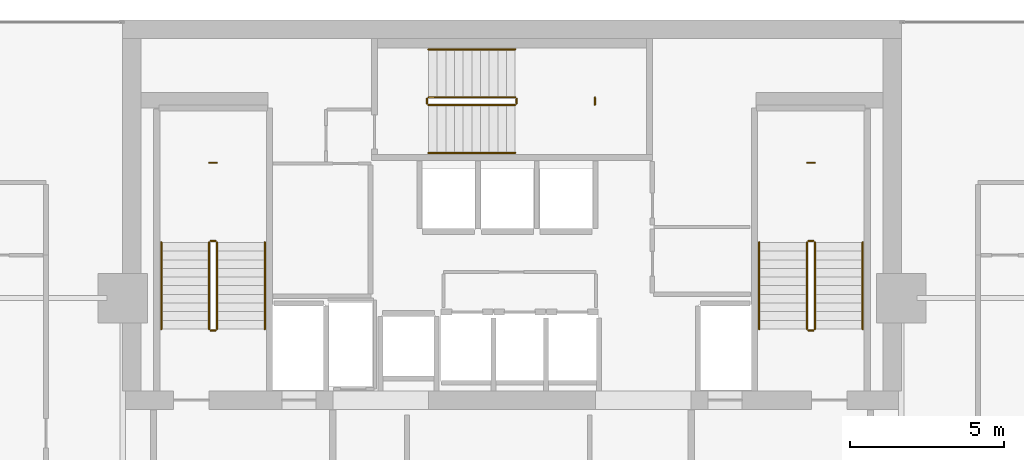
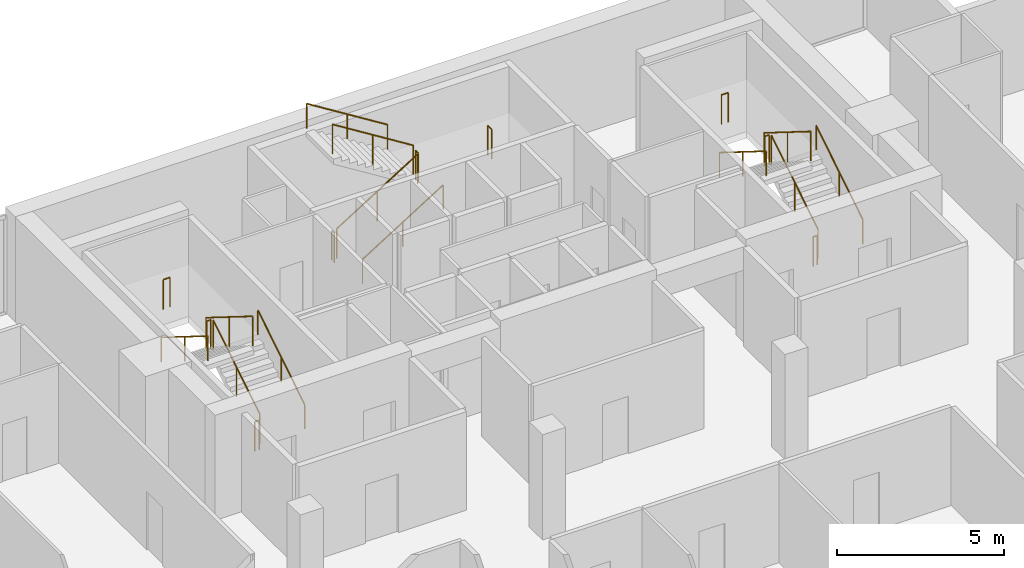
# One storey, part 25 of 25: 21 railings.
"""IFC4 building model written with IfcOpenShell, lengths in metres."""

from ifc_helpers import new_model, si_unit, direction, frame, origin, origin_2d, place, context, subcontext, project, spatial, circle, extrude, material, type_object, element, save


model = new_model("IFC4")

# Units and contexts
model_context = context("Model", 3, precision=1e-05, world=origin(), true_north=direction((0.0, 1.0)))
body_context = subcontext(model_context, "Body", "Model", "MODEL_VIEW")
ifc_project = project(units=[si_unit("LENGTHUNIT", "METRE"), si_unit("AREAUNIT", "SQUARE_METRE"), si_unit("VOLUMEUNIT", "CUBIC_METRE"), si_unit("PLANEANGLEUNIT", "RADIAN"), si_unit("MASSUNIT", "GRAM", prefix="KILO")], contexts=[model_context])

# Site, building, storey
site_placement = place(None, origin())
site = spatial("IfcSite", under=ifc_project, at=site_placement, CompositionType="ELEMENT")
building_placement = place(site_placement, origin())
building = spatial("IfcBuilding", under=site, at=building_placement, Name="Maruvema Waterfront Hotel and Observation Tower", CompositionType="ELEMENT")
storey_placement = place(building_placement, frame((0.0, 0.0, 281.75)))
storey = spatial("IfcBuildingStorey", under=building, at=storey_placement, Name="L69", CompositionType="ELEMENT", Elevation=281.75)

# Railings
ifc_material_1 = material(Name="Brushed stainless steel Grade 316", Category="steel")
railing_type_1 = type_object("IfcRailingType", Name="Ramp Continuous Wall Handrail 920 mm", PredefinedType="HANDRAIL", material=ifc_material_1)
railing_1_placement = place(storey_placement, frame((29.800048828125, 44.0, 0.175048828125)))
element("IfcRailing", 1, at=railing_1_placement, inside=storey, type_object=railing_type_1, Name="L69 ST-01 stair handrail 1", PredefinedType="HANDRAIL", context=body_context, shape_type="SweptSolid", body=[
    extrude(circle(Radius=0.02392578125, at=origin_2d()), frame((0.0, 0.0, 0.89599609375), z_axis=(0.0, 0.848002457836, 0.529992293815), x_axis=(-1.0, 0.0, 0.0)), (0.0, 0.0, 1.0), 3.302001953125),
    extrude(circle(Radius=0.02099609375, at=origin_2d()), origin(), (0.0, 0.0, 1.0), 0.871826171875),
    extrude(circle(Radius=0.02099609375, at=origin_2d()), frame((0.0, 1.39990234375, 0.875)), (0.0, 0.0, 1.0), 0.871826171875),
    extrude(circle(Radius=0.02099609375, at=origin_2d()), frame((0.0, 2.800048828125, 1.75)), (0.0, 0.0, 1.0), 0.871826171875),
])
railing_2_placement = place(storey_placement, frame((26.449951171875, 46.800048828125, 2.10009765625)))
element("IfcRailing", 2, at=railing_2_placement, inside=storey, type_object=railing_type_1, Name="L69 ST-01 stair handrail 2", PredefinedType="HANDRAIL", context=body_context, shape_type="SweptSolid", body=[
    extrude(circle(Radius=0.02392578125, at=origin_2d()), frame((0.0, 0.0, 0.89599609375), z_axis=(0.0, -0.848002457836, 0.529992293815), x_axis=(1.0, 0.0, 0.0)), (0.0, 0.0, 1.0), 3.302001953125),
    extrude(circle(Radius=0.02099609375, at=origin_2d()), origin(), (0.0, 0.0, 1.0), 0.871826171875),
    extrude(circle(Radius=0.02099609375, at=origin_2d()), frame((0.0, -1.39990234375, 0.875)), (0.0, 0.0, 1.0), 0.871826171875),
    extrude(circle(Radius=0.02099609375, at=origin_2d()), frame((0.0, -2.800048828125, 1.75)), (0.0, 0.0, 1.0), 0.871826171875),
])
railing_3_placement = place(storey_placement, frame((35.10009765625, 49.699951171875, 0.175048828125)))
element("IfcRailing", 3, at=railing_3_placement, inside=storey, type_object=railing_type_1, Name="L69 ST-02 stair handrail 1", PredefinedType="HANDRAIL", context=body_context, shape_type="SweptSolid", body=[
    extrude(circle(Radius=0.02392578125, at=origin_2d()), frame((0.0, 0.0, 0.89599609375), z_axis=(0.847981687118, 0.0, 0.530025526095), x_axis=(0.0, 1.0, 0.0)), (0.0, 0.0, 1.0), 3.3017578125),
    extrude(circle(Radius=0.02099609375, at=origin_2d()), origin(), (0.0, 0.0, 1.0), 0.871826171875),
    extrude(circle(Radius=0.02099609375, at=origin_2d()), frame((1.39990234375, 0.0, 0.875)), (0.0, 0.0, 1.0), 0.871826171875),
    extrude(circle(Radius=0.02099609375, at=origin_2d()), frame((2.7998046875, 0.0, 1.75)), (0.0, 0.0, 1.0), 0.871826171875),
])
railing_4_placement = place(storey_placement, frame((37.89990234375, 53.050048828125, 2.10009765625)))
element("IfcRailing", 4, at=railing_4_placement, inside=storey, type_object=railing_type_1, Name="L69 ST-02 stair handrail 2", PredefinedType="HANDRAIL", context=body_context, shape_type="SweptSolid", body=[
    extrude(circle(Radius=0.02392578125, at=origin_2d()), frame((0.0, 0.0, 0.89599609375), z_axis=(-0.847981687118, 0.0, 0.530025526095), x_axis=(0.0, -1.0, 0.0)), (0.0, 0.0, 1.0), 3.3017578125),
    extrude(circle(Radius=0.02099609375, at=origin_2d()), origin(), (0.0, 0.0, 1.0), 0.871826171875),
    extrude(circle(Radius=0.02099609375, at=origin_2d()), frame((-1.39990234375, 0.0, 0.875)), (0.0, 0.0, 1.0), 0.871826171875),
    extrude(circle(Radius=0.02099609375, at=origin_2d()), frame((-2.7998046875, 0.0, 1.75)), (0.0, 0.0, 1.0), 0.871826171875),
])
railing_5_placement = place(storey_placement, frame((49.14990234375, 44.0, 0.175048828125)))
element("IfcRailing", 5, at=railing_5_placement, inside=storey, type_object=railing_type_1, Name="L69 ST-03 stair handrail 1", PredefinedType="HANDRAIL", context=body_context, shape_type="SweptSolid", body=[
    extrude(circle(Radius=0.02392578125, at=origin_2d()), frame((0.0, 0.0, 0.89599609375), z_axis=(0.0, 0.848002457836, 0.529992293815), x_axis=(-1.0, 0.0, 0.0)), (0.0, 0.0, 1.0), 3.302001953125),
    extrude(circle(Radius=0.02099609375, at=origin_2d()), origin(), (0.0, 0.0, 1.0), 0.871826171875),
    extrude(circle(Radius=0.02099609375, at=origin_2d()), frame((0.0, 1.39990234375, 0.875)), (0.0, 0.0, 1.0), 0.871826171875),
    extrude(circle(Radius=0.02099609375, at=origin_2d()), frame((0.0, 2.800048828125, 1.75)), (0.0, 0.0, 1.0), 0.871826171875),
])
railing_6_placement = place(storey_placement, frame((45.800048828125, 46.800048828125, 2.10009765625)))
element("IfcRailing", 6, at=railing_6_placement, inside=storey, type_object=railing_type_1, Name="L69 ST-03 stair handrail 2", PredefinedType="HANDRAIL", context=body_context, shape_type="SweptSolid", body=[
    extrude(circle(Radius=0.02392578125, at=origin_2d()), frame((0.0, 0.0, 0.89599609375), z_axis=(0.0, -0.848002457836, 0.529992293815), x_axis=(1.0, 0.0, 0.0)), (0.0, 0.0, 1.0), 3.302001953125),
    extrude(circle(Radius=0.02099609375, at=origin_2d()), origin(), (0.0, 0.0, 1.0), 0.871826171875),
    extrude(circle(Radius=0.02099609375, at=origin_2d()), frame((0.0, -1.39990234375, 0.875)), (0.0, 0.0, 1.0), 0.871826171875),
    extrude(circle(Radius=0.02099609375, at=origin_2d()), frame((0.0, -2.800048828125, 1.75)), (0.0, 0.0, 1.0), 0.871826171875),
])
ifc_material_2 = material(Name="Brushed stainless steel Grade 316", Category="steel")
railing_type_2 = type_object("IfcRailingType", Name="Ramp and Terrace Guard Balustrade 1100 mm", PredefinedType="BALUSTRADE", material=ifc_material_2)
railing_7_placement = place(storey_placement, frame((28.25, 44.0, 0.175048828125)))
element("IfcRailing", 7, at=railing_7_placement, inside=storey, type_object=railing_type_2, Name="L69 ST-01 stair guard 1", PredefinedType="BALUSTRADE", context=body_context, shape_type="SweptSolid", body=[
    extrude(circle(Radius=0.02392578125, at=origin_2d()), frame((0.0, 0.0, 1.076171875), z_axis=(0.0, 0.848002457836, 0.529992293815), x_axis=(-1.0, 0.0, 0.0)), (0.0, 0.0, 1.0), 3.302001953125),
    extrude(circle(Radius=0.02099609375, at=origin_2d()), origin(), (0.0, 0.0, 1.0), 1.052001953125),
    extrude(circle(Radius=0.02099609375, at=origin_2d()), frame((0.0, 1.39990234375, 0.875)), (0.0, 0.0, 1.0), 1.052001953125),
    extrude(circle(Radius=0.02099609375, at=origin_2d()), frame((0.0, 2.800048828125, 1.75)), (0.0, 0.0, 1.0), 1.052001953125),
])
railing_8_placement = place(storey_placement, frame((28.199951171875, 46.85009765625, 1.925048828125)))
element("IfcRailing", 8, at=railing_8_placement, inside=storey, type_object=railing_type_2, Name="L69 ST-01 stair guard 2", PredefinedType="BALUSTRADE", context=body_context, shape_type="SweptSolid", body=[
    extrude(circle(Radius=0.02392578125, at=origin_2d()), frame((0.0, 0.0, 1.076171875), z_axis=(-1.0, 0.0, 0.0), x_axis=(0.0, -1.0, 0.0)), (0.0, 0.0, 1.0), 0.14990234375),
    extrude(circle(Radius=0.02099609375, at=origin_2d()), origin(), (0.0, 0.0, 1.0), 1.052001953125),
    extrude(circle(Radius=0.02099609375, at=origin_2d()), frame((-0.14990234375, 0.0, 0.0)), (0.0, 0.0, 1.0), 1.052001953125),
])
railing_9_placement = place(storey_placement, frame((28.0, 46.800048828125, 2.10009765625)))
element("IfcRailing", 9, at=railing_9_placement, inside=storey, type_object=railing_type_2, Name="L69 ST-01 stair guard 3", PredefinedType="BALUSTRADE", context=body_context, shape_type="SweptSolid", body=[
    extrude(circle(Radius=0.02392578125, at=origin_2d()), frame((0.0, 0.0, 1.076171875), z_axis=(0.0, -0.848002457836, 0.529992293815), x_axis=(1.0, 0.0, 0.0)), (0.0, 0.0, 1.0), 3.302001953125),
    extrude(circle(Radius=0.02099609375, at=origin_2d()), origin(), (0.0, 0.0, 1.0), 1.052001953125),
    extrude(circle(Radius=0.02099609375, at=origin_2d()), frame((0.0, -1.39990234375, 0.875)), (0.0, 0.0, 1.0), 1.052001953125),
    extrude(circle(Radius=0.02099609375, at=origin_2d()), frame((0.0, -2.800048828125, 1.75)), (0.0, 0.0, 1.0), 1.052001953125),
])
railing_10_placement = place(storey_placement, frame((28.199951171875, 43.949951171875, 0.0)))
element("IfcRailing", 10, at=railing_10_placement, inside=storey, type_object=railing_type_2, Name="L69 ST-01 stair guard 4", PredefinedType="BALUSTRADE", context=body_context, shape_type="SweptSolid", body=[
    extrude(circle(Radius=0.02392578125, at=origin_2d()), frame((0.0, 0.0, 1.076171875), z_axis=(-1.0, 0.0, 0.0), x_axis=(0.0, -1.0, 0.0)), (0.0, 0.0, 1.0), 0.14990234375),
    extrude(circle(Radius=0.02099609375, at=origin_2d()), origin(), (0.0, 0.0, 1.0), 1.052001953125),
    extrude(circle(Radius=0.02099609375, at=origin_2d()), frame((-0.14990234375, 0.0, 0.0)), (0.0, 0.0, 1.0), 1.052001953125),
])
railing_11_placement = place(storey_placement, frame((28.239990234375, 49.3798828125, 1.925048828125)))
element("IfcRailing", 11, at=railing_11_placement, inside=storey, type_object=railing_type_2, Name="L69 ST-01 Half-Landing Slot Guard", PredefinedType="BALUSTRADE", context=body_context, shape_type="SweptSolid", body=[
    extrude(circle(Radius=0.02392578125, at=origin_2d()), frame((0.0, 0.0, 1.076171875), z_axis=(-1.0, 0.0, 0.0), x_axis=(0.0, -1.0, 0.0)), (0.0, 0.0, 1.0), 0.22998046875),
    extrude(circle(Radius=0.02099609375, at=origin_2d()), origin(), (0.0, 0.0, 1.0), 1.052001953125),
    extrude(circle(Radius=0.02099609375, at=origin_2d()), frame((-0.22998046875, 0.0, 0.0)), (0.0, 0.0, 1.0), 1.052001953125),
])
railing_12_placement = place(storey_placement, frame((35.10009765625, 51.25, 0.175048828125)))
element("IfcRailing", 12, at=railing_12_placement, inside=storey, type_object=railing_type_2, Name="L69 ST-02 stair guard 1", PredefinedType="BALUSTRADE", context=body_context, shape_type="SweptSolid", body=[
    extrude(circle(Radius=0.02392578125, at=origin_2d()), frame((0.0, 0.0, 1.076171875), z_axis=(0.847981687118, 0.0, 0.530025526095), x_axis=(0.0, 1.0, 0.0)), (0.0, 0.0, 1.0), 3.3017578125),
    extrude(circle(Radius=0.02099609375, at=origin_2d()), origin(), (0.0, 0.0, 1.0), 1.052001953125),
    extrude(circle(Radius=0.02099609375, at=origin_2d()), frame((1.39990234375, 0.0, 0.875)), (0.0, 0.0, 1.0), 1.052001953125),
    extrude(circle(Radius=0.02099609375, at=origin_2d()), frame((2.7998046875, 0.0, 1.75)), (0.0, 0.0, 1.0), 1.052001953125),
])
railing_13_placement = place(storey_placement, frame((37.949951171875, 51.300048828125, 1.925048828125)))
element("IfcRailing", 13, at=railing_13_placement, inside=storey, type_object=railing_type_2, Name="L69 ST-02 stair guard 2", PredefinedType="BALUSTRADE", context=body_context, shape_type="SweptSolid", body=[
    extrude(circle(Radius=0.02392578125, at=origin_2d()), frame((0.0, 0.0, 1.076171875), z_axis=(0.0, 1.0, 0.0), x_axis=(-1.0, 0.0, 0.0)), (0.0, 0.0, 1.0), 0.14990234375),
    extrude(circle(Radius=0.02099609375, at=origin_2d()), origin(), (0.0, 0.0, 1.0), 1.052001953125),
    extrude(circle(Radius=0.02099609375, at=origin_2d()), frame((0.0, 0.14990234375, 0.0)), (0.0, 0.0, 1.0), 1.052001953125),
])
railing_14_placement = place(storey_placement, frame((37.89990234375, 51.5, 2.10009765625)))
element("IfcRailing", 14, at=railing_14_placement, inside=storey, type_object=railing_type_2, Name="L69 ST-02 stair guard 3", PredefinedType="BALUSTRADE", context=body_context, shape_type="SweptSolid", body=[
    extrude(circle(Radius=0.02392578125, at=origin_2d()), frame((0.0, 0.0, 1.076171875), z_axis=(-0.847981687118, 0.0, 0.530025526095), x_axis=(0.0, -1.0, 0.0)), (0.0, 0.0, 1.0), 3.3017578125),
    extrude(circle(Radius=0.02099609375, at=origin_2d()), origin(), (0.0, 0.0, 1.0), 1.052001953125),
    extrude(circle(Radius=0.02099609375, at=origin_2d()), frame((-1.39990234375, 0.0, 0.875)), (0.0, 0.0, 1.0), 1.052001953125),
    extrude(circle(Radius=0.02099609375, at=origin_2d()), frame((-2.7998046875, 0.0, 1.75)), (0.0, 0.0, 1.0), 1.052001953125),
])
railing_15_placement = place(storey_placement, frame((35.050048828125, 51.300048828125, 0.0)))
element("IfcRailing", 15, at=railing_15_placement, inside=storey, type_object=railing_type_2, Name="L69 ST-02 stair guard 4", PredefinedType="BALUSTRADE", context=body_context, shape_type="SweptSolid", body=[
    extrude(circle(Radius=0.02392578125, at=origin_2d()), frame((0.0, 0.0, 1.076171875), z_axis=(0.0, 1.0, 0.0), x_axis=(-1.0, 0.0, 0.0)), (0.0, 0.0, 1.0), 0.14990234375),
    extrude(circle(Radius=0.02099609375, at=origin_2d()), origin(), (0.0, 0.0, 1.0), 1.052001953125),
    extrude(circle(Radius=0.02099609375, at=origin_2d()), frame((0.0, 0.14990234375, 0.0)), (0.0, 0.0, 1.0), 1.052001953125),
])
railing_16_placement = place(storey_placement, frame((40.47998046875, 51.260009765625, 1.925048828125)))
element("IfcRailing", 16, at=railing_16_placement, inside=storey, type_object=railing_type_2, Name="L69 ST-02 Half-Landing Slot Guard", PredefinedType="BALUSTRADE", context=body_context, shape_type="SweptSolid", body=[
    extrude(circle(Radius=0.02392578125, at=origin_2d()), frame((0.0, 0.0, 1.076171875), z_axis=(0.0, 1.0, 0.0), x_axis=(-1.0, 0.0, 0.0)), (0.0, 0.0, 1.0), 0.22998046875),
    extrude(circle(Radius=0.02099609375, at=origin_2d()), origin(), (0.0, 0.0, 1.0), 1.052001953125),
    extrude(circle(Radius=0.02099609375, at=origin_2d()), frame((0.0, 0.22998046875, 0.0)), (0.0, 0.0, 1.0), 1.052001953125),
])
railing_17_placement = place(storey_placement, frame((47.60009765625, 44.0, 0.175048828125)))
element("IfcRailing", 17, at=railing_17_placement, inside=storey, type_object=railing_type_2, Name="L69 ST-03 stair guard 1", PredefinedType="BALUSTRADE", context=body_context, shape_type="SweptSolid", body=[
    extrude(circle(Radius=0.02392578125, at=origin_2d()), frame((0.0, 0.0, 1.076171875), z_axis=(0.0, 0.848002457836, 0.529992293815), x_axis=(-1.0, 0.0, 0.0)), (0.0, 0.0, 1.0), 3.302001953125),
    extrude(circle(Radius=0.02099609375, at=origin_2d()), origin(), (0.0, 0.0, 1.0), 1.052001953125),
    extrude(circle(Radius=0.02099609375, at=origin_2d()), frame((0.0, 1.39990234375, 0.875)), (0.0, 0.0, 1.0), 1.052001953125),
    extrude(circle(Radius=0.02099609375, at=origin_2d()), frame((0.0, 2.800048828125, 1.75)), (0.0, 0.0, 1.0), 1.052001953125),
])
railing_18_placement = place(storey_placement, frame((47.550048828125, 46.85009765625, 1.925048828125)))
element("IfcRailing", 18, at=railing_18_placement, inside=storey, type_object=railing_type_2, Name="L69 ST-03 stair guard 2", PredefinedType="BALUSTRADE", context=body_context, shape_type="SweptSolid", body=[
    extrude(circle(Radius=0.02392578125, at=origin_2d()), frame((0.0, 0.0, 1.076171875), z_axis=(-1.0, 0.0, 0.0), x_axis=(0.0, -1.0, 0.0)), (0.0, 0.0, 1.0), 0.150146484375),
    extrude(circle(Radius=0.02099609375, at=origin_2d()), origin(), (0.0, 0.0, 1.0), 1.052001953125),
    extrude(circle(Radius=0.02099609375, at=origin_2d()), frame((-0.150146484375, 0.0, 0.0)), (0.0, 0.0, 1.0), 1.052001953125),
])
railing_19_placement = place(storey_placement, frame((47.35009765625, 46.800048828125, 2.10009765625)))
element("IfcRailing", 19, at=railing_19_placement, inside=storey, type_object=railing_type_2, Name="L69 ST-03 stair guard 3", PredefinedType="BALUSTRADE", context=body_context, shape_type="SweptSolid", body=[
    extrude(circle(Radius=0.02392578125, at=origin_2d()), frame((0.0, 0.0, 1.076171875), z_axis=(0.0, -0.848002457836, 0.529992293815), x_axis=(1.0, 0.0, 0.0)), (0.0, 0.0, 1.0), 3.302001953125),
    extrude(circle(Radius=0.02099609375, at=origin_2d()), origin(), (0.0, 0.0, 1.0), 1.052001953125),
    extrude(circle(Radius=0.02099609375, at=origin_2d()), frame((0.0, -1.39990234375, 0.875)), (0.0, 0.0, 1.0), 1.052001953125),
    extrude(circle(Radius=0.02099609375, at=origin_2d()), frame((0.0, -2.800048828125, 1.75)), (0.0, 0.0, 1.0), 1.052001953125),
])
railing_20_placement = place(storey_placement, frame((47.550048828125, 43.949951171875, 0.0)))
element("IfcRailing", 20, at=railing_20_placement, inside=storey, type_object=railing_type_2, Name="L69 ST-03 stair guard 4", PredefinedType="BALUSTRADE", context=body_context, shape_type="SweptSolid", body=[
    extrude(circle(Radius=0.02392578125, at=origin_2d()), frame((0.0, 0.0, 1.076171875), z_axis=(-1.0, 0.0, 0.0), x_axis=(0.0, -1.0, 0.0)), (0.0, 0.0, 1.0), 0.150146484375),
    extrude(circle(Radius=0.02099609375, at=origin_2d()), origin(), (0.0, 0.0, 1.0), 1.052001953125),
    extrude(circle(Radius=0.02099609375, at=origin_2d()), frame((-0.150146484375, 0.0, 0.0)), (0.0, 0.0, 1.0), 1.052001953125),
])
railing_21_placement = place(storey_placement, frame((47.590087890625, 49.3798828125, 1.925048828125)))
element("IfcRailing", 21, at=railing_21_placement, inside=storey, type_object=railing_type_2, Name="L69 ST-03 Half-Landing Slot Guard", PredefinedType="BALUSTRADE", context=body_context, shape_type="SweptSolid", body=[
    extrude(circle(Radius=0.02392578125, at=origin_2d()), frame((0.0, 0.0, 1.076171875), z_axis=(-1.0, 0.0, 0.0), x_axis=(0.0, -1.0, 0.0)), (0.0, 0.0, 1.0), 0.22998046875),
    extrude(circle(Radius=0.02099609375, at=origin_2d()), origin(), (0.0, 0.0, 1.0), 1.052001953125),
    extrude(circle(Radius=0.02099609375, at=origin_2d()), frame((-0.22998046875, 0.0, 0.0)), (0.0, 0.0, 1.0), 1.052001953125),
])

save(model, "model.ifc")
